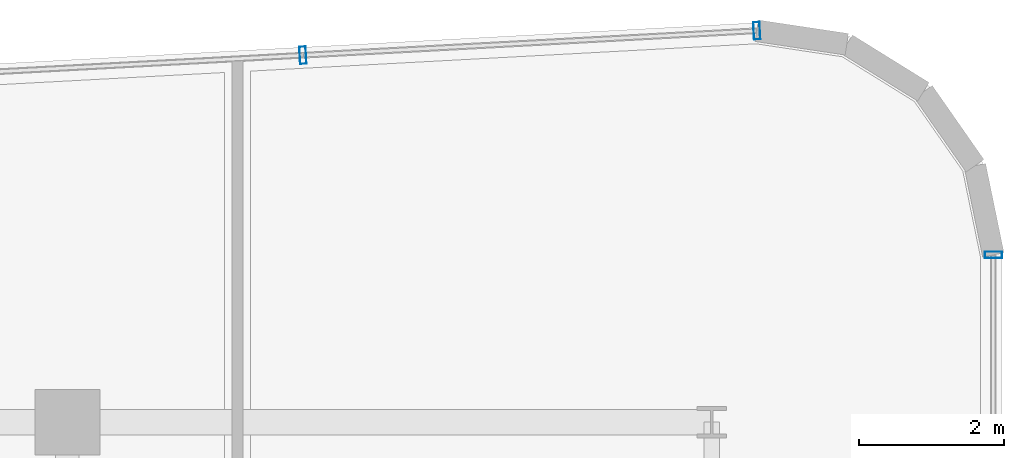
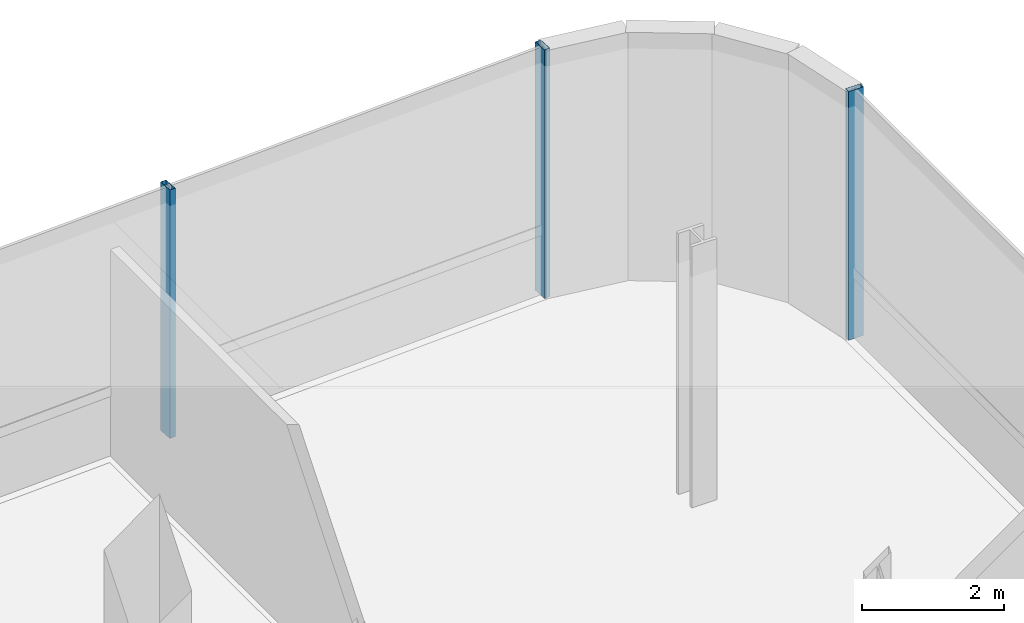
# One storey, part 11 of 17: 3 members, 2 elements without a shape of their own.
"""IFC4 building model written with IfcOpenShell, lengths in metres."""

from ifc_helpers import new_model, si_unit, direction, frame, origin, origin_2d, place, context, subcontext, project, spatial, hollow_rectangle, extrude, source, transform, mapped, material, material_profile, profile_set, type_object, element, aggregate, save


model = new_model("IFC4")

# Units and contexts
model_context = context("Model", 3, precision=1e-05, world=origin(), true_north=direction((0.0, 1.0)))
body_context = subcontext(model_context, "Body", "Model", "MODEL_VIEW")
ifc_project = project(units=[si_unit("LENGTHUNIT", "METRE"), si_unit("AREAUNIT", "SQUARE_METRE"), si_unit("VOLUMEUNIT", "CUBIC_METRE"), si_unit("PLANEANGLEUNIT", "RADIAN"), si_unit("MASSUNIT", "GRAM", prefix="KILO")], contexts=[model_context])

# Site, building, storey
site_placement = place(None, origin())
site = spatial("IfcSite", under=ifc_project, at=site_placement, CompositionType="ELEMENT")
building_placement = place(site_placement, origin())
building = spatial("IfcBuilding", under=site, at=building_placement, Name="Valdorenza Pilgrim Sanctuary Tower", CompositionType="ELEMENT")
storey_placement = place(building_placement, frame((0.0, 0.0, 201.0)))
storey = spatial("IfcBuildingStorey", under=building, at=storey_placement, Name="L51", CompositionType="ELEMENT", Elevation=201.0)

# Curtain wall, members
ifc_material_1 = material(Name="Curtain-wall IGU glazing", Category="glass")
curtain_wall_type = type_object("IfcCurtainWallType", Name="CW-SYS-04", PredefinedType="NOTDEFINED", material=ifc_material_1)
curtain_wall_1_placement = place(storey_placement, origin())
curtain_wall_1 = element("IfcCurtainWall", 1, at=curtain_wall_1_placement, inside=storey, type_object=curtain_wall_type, Name="L51 Curtain Wall CW-L51-1-6", PredefinedType="NOTDEFINED")
ifc_material_2 = material(Name="Anodised aluminium AW-6060", Category="aluminium")
ifc_material_profile = material_profile(ifc_material_2, hollow_rectangle(XDim=0.090087890625, YDim=0.239990234375, WallThickness=0.0048828125, at=origin_2d()), Name="ALU-M 240x90x5")
ifc_profile_set = profile_set([ifc_material_profile], Name="Anodised aluminium AW-6060")
member_type = type_object("IfcMemberType", Name="CW-MUL-04", PredefinedType="MULLION", material=ifc_profile_set)
shared_shape = source(origin(), body_context, "Body", "SweptSolid", [
    extrude(hollow_rectangle(XDim=0.090087890625, YDim=0.239990234375, WallThickness=0.0048828125, at=origin_2d()), origin(), (0.0, 0.0, 1.0), 4.260009765625),
])
member_1_placement = place(storey_placement, frame((-9.147216796875, 19.869140625, 0.0), z_axis=(0.0, 0.0, 1.0), x_axis=(0.998547034311, 0.053887106711, 0.0)))
member_1 = element("IfcMember", 2, at=member_1_placement, type_object=member_type, Name="CW-L51-1-6 Mullion 4", PredefinedType="MULLION", context=body_context, shape_type="MappedRepresentation", body=[
    mapped(shared_shape, transform((0.0, 0.0, 0.0), x_axis=(1.0, 0.0, 0.0), y_axis=(0.0, 1.0, 0.0), z_axis=(0.0, 0.0, 1.0), scale=1.0)),
])
member_2_placement = place(storey_placement, frame((-2.877685546875, 20.20751953125, 0.0), z_axis=(0.0, 0.0, 1.0), x_axis=(0.998547034311, 0.053887106711, 0.0)))
member_2 = element("IfcMember", 3, at=member_2_placement, type_object=member_type, Name="CW-L51-1-6 Mullion 5", PredefinedType="MULLION", context=body_context, shape_type="MappedRepresentation", body=[
    mapped(shared_shape, transform((0.0, 0.0, 0.0), x_axis=(1.0, 0.0, 0.0), y_axis=(0.0, 1.0, 0.0), z_axis=(0.0, 0.0, 1.0), scale=1.0)),
])
aggregate(curtain_wall_1, [member_1, member_2])

# Curtain wall, member
curtain_wall_2_placement = place(storey_placement, origin())
curtain_wall_2 = element("IfcCurtainWall", 4, at=curtain_wall_2_placement, inside=storey, type_object=curtain_wall_type, Name="L51 Curtain Wall CW-L51-1-11", PredefinedType="NOTDEFINED")
member_3_placement = place(storey_placement, frame((0.389892578125, 17.111328125, 0.0), z_axis=(0.0, 0.0, 1.0), x_axis=(0.0, -1.0, 0.0)))
member_3 = element("IfcMember", 5, at=member_3_placement, type_object=member_type, Name="CW-L51-1-11 Mullion 1", PredefinedType="MULLION", context=body_context, shape_type="MappedRepresentation", body=[
    mapped(shared_shape, transform((0.0, 0.0, 0.0), x_axis=(1.0, 0.0, 0.0), y_axis=(0.0, 1.0, 0.0), z_axis=(0.0, 0.0, 1.0), scale=1.0)),
])
aggregate(curtain_wall_2, [member_3])

save(model, "model.ifc")
